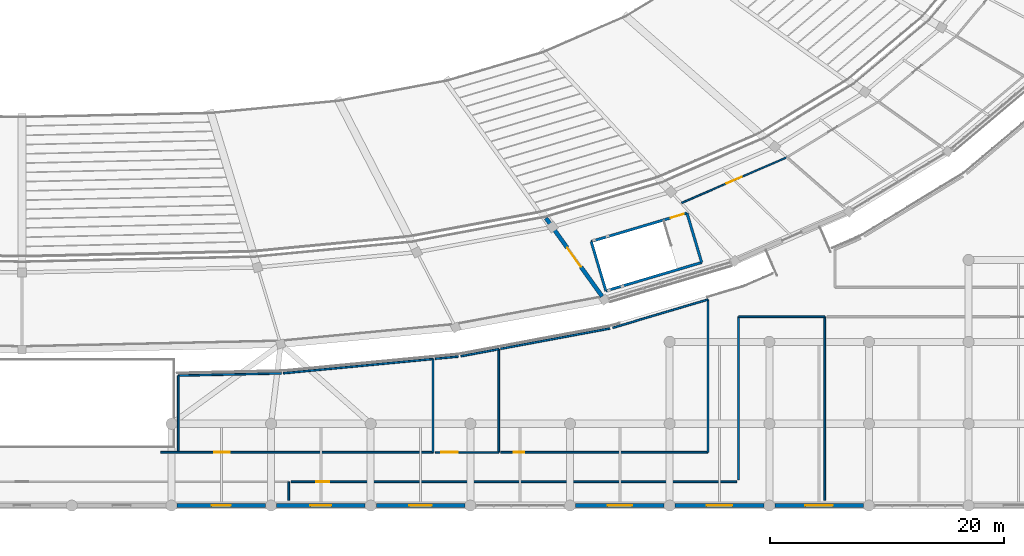
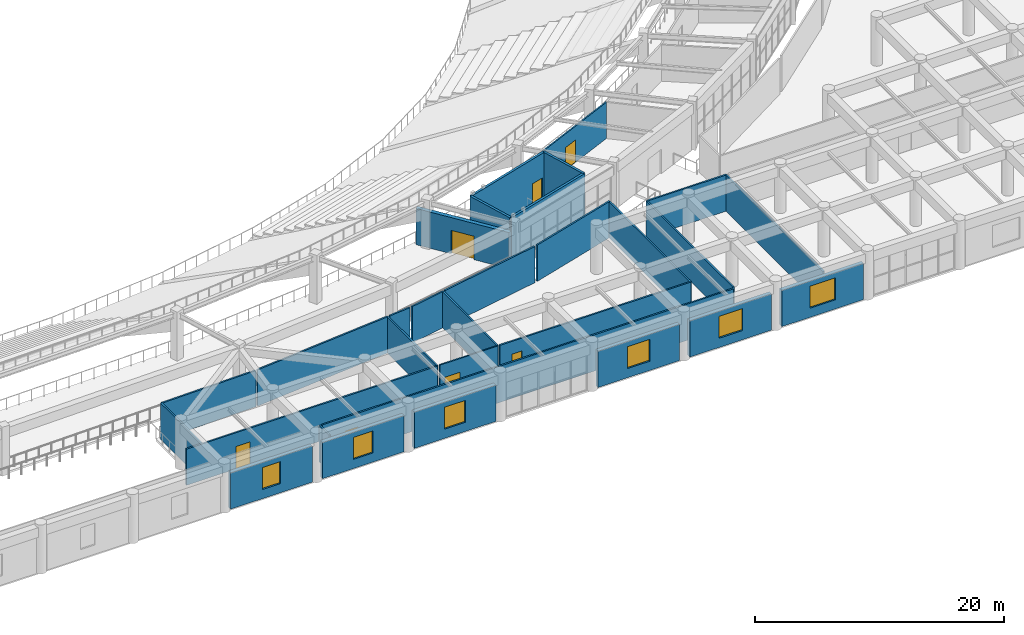
# One storey, part 97 of 137: 30 walls, 7 doors, 6 windows, 13 openings.
"""IFC4 building model written with IfcOpenShell, lengths in metres."""

from ifc_helpers import new_model, si_unit, direction, frame, frame_2d, origin, place, context, subcontext, project, spatial, rectangle, extrude, material, layer, layer_set, type_object, element, fill, save


model = new_model("IFC4")

# Units and contexts
model_context = context("Model", 3, precision=1e-05, world=origin(), true_north=direction((0.0, 1.0)))
body_context = subcontext(model_context, "Body", "Model", "MODEL_VIEW")
ifc_project = project(units=[si_unit("LENGTHUNIT", "METRE"), si_unit("AREAUNIT", "SQUARE_METRE"), si_unit("VOLUMEUNIT", "CUBIC_METRE"), si_unit("PLANEANGLEUNIT", "RADIAN"), si_unit("MASSUNIT", "GRAM", prefix="KILO")], contexts=[model_context])

# Site, building, storey
site_placement = place(None, origin())
site = spatial("IfcSite", under=ifc_project, at=site_placement, CompositionType="ELEMENT")
building_placement = place(site_placement, origin())
building = spatial("IfcBuilding", under=site, at=building_placement, Name="Mphavela Belvedere Stadium", CompositionType="ELEMENT")
storey_placement = place(building_placement, frame((0.0, 0.0, 19.199951171875)))
storey = spatial("IfcBuildingStorey", under=building, at=storey_placement, Name="L04", CompositionType="ELEMENT", Elevation=19.199951171875)

# Walls
ifc_material_1 = material(Name="Concrete C40/50", Category="concrete")
ifc_layer_1 = layer(ifc_material_1, 0.219970703125)
ifc_layer_set_1 = layer_set([ifc_layer_1], Name="Concrete C40/50")
wall_type_1 = type_object("IfcWallType", Name="WAL-CORE-SHEAR-220", PredefinedType="SHEAR", material=ifc_layer_set_1)
wall_1_placement = place(storey_placement, frame((173.10498046875, 20.784912109375, 0.0), z_axis=(0.0, 0.0, 1.0), x_axis=(-0.958675743706, -0.284500998997, 0.0)))
element("IfcWall", 1, at=wall_1_placement, inside=storey, type_object=wall_type_1, Name="Core P04 shear wall L04 rear", PredefinedType="SHEAR", context=body_context, shape_type="SweptSolid", body=[
    extrude(rectangle(XDim=8.540283203125, YDim=0.219970703125, at=frame_2d((4.27001953125, 0.0))), origin(), (0.0, 0.0, 1.0), 4.550048828125),
])
wall_2_placement = place(storey_placement, frame((171.85009765625, 25.0126953125, 0.0), z_axis=(0.0, 0.0, 1.0), x_axis=(0.284548207311, -0.958661732686, 0.0)))
element("IfcWall", 2, at=wall_2_placement, inside=storey, type_object=wall_type_1, Name="Core P04 shear wall L04 left", PredefinedType="SHEAR", context=body_context, shape_type="SweptSolid", body=[
    extrude(rectangle(XDim=4.41015625, YDim=0.219970703125, at=frame_2d((2.205078125, 0.0))), origin(), (0.0, 0.0, 1.0), 4.550048828125),
])
wall_3_placement = place(storey_placement, frame((163.6630859375, 22.5830078125, 0.0), z_axis=(0.0, 0.0, 1.0), x_axis=(0.284497328872, -0.958676832861, 0.0)))
element("IfcWall", 3, at=wall_3_placement, inside=storey, type_object=wall_type_1, Name="Core P04 shear wall L04 right", PredefinedType="SHEAR", context=body_context, shape_type="SweptSolid", body=[
    extrude(rectangle(XDim=4.409912109375, YDim=0.219970703125, at=frame_2d((2.205078125, 0.0))), origin(), (0.0, 0.0, 1.0), 4.550048828125),
])

# Wall, opening, door
wall_4_placement = place(storey_placement, frame((171.85009765625, 25.0126953125, 0.0), z_axis=(0.0, 0.0, 1.0), x_axis=(-0.95867342973, -0.284508796227, 0.0)))
wall_4 = element("IfcWall", 4, at=wall_4_placement, inside=storey, type_object=wall_type_1, Name="Core P04 shear wall L04 front", PredefinedType="SHEAR", context=body_context, shape_type="SweptSolid", body=[
    extrude(rectangle(XDim=8.5400390625, YDim=0.219970703125, at=frame_2d((4.27001953125, 0.0))), origin(), (0.0, 0.0, 1.0), 4.550048828125),
])
opening_1_placement = place(wall_4_placement, frame((0.300048828125, 0.0, 0.0)))
opening_1 = element("IfcOpeningElement", 5, at=opening_1_placement, cuts=wall_4, Name="Opening SD-086", PredefinedType="OPENING", context=body_context, shape_type="SweptSolid", body=[
    extrude(rectangle(XDim=1.14990234375, YDim=2.14990234375, at=frame_2d((0.574951171875, 1.074951171875))), frame((0.0, 0.1201171875, 0.0), z_axis=(0.0, -1.0, 0.0), x_axis=(1.0, 0.0, 0.0)), (0.0, 0.0, 1.0), 0.239990234375),
])
ifc_material_2 = material(Name="Steel acoustic fire-resisting stair doorset", Category="steel")
door_type_1 = type_object("IfcDoorType", Name="DR-STAIR-FIRE-1150", OperationType="NOTDEFINED", PredefinedType="DOOR", material=ifc_material_2)
door_1_placement = place(opening_1_placement, origin())
door_1 = element("IfcDoor", 6, at=door_1_placement, inside=storey, type_object=door_type_1, Name="Escape stair fire door P04 L04", OperationType="SINGLE_SWING_RIGHT", OverallHeight=2.14990234375, OverallWidth=1.14990234375, PredefinedType="DOOR", context=body_context, shape_type="SweptSolid", body=[
    extrude(rectangle(XDim=1.14990234375, YDim=2.14990234375, at=frame_2d((0.574951171875, 1.074951171875))), frame((0.0, 0.02490234375, 0.0), z_axis=(0.0, -1.0, 0.0), x_axis=(1.0, 0.0, 0.0)), (0.0, 0.0, 1.0), 0.050048828125),
])
fill(opening_1, door_1)

ifc_material_3 = material(Name="Honed ashlar limestone masonry", Category="masonry")
ifc_layer_2 = layer(ifc_material_3, 0.35009765625)
ifc_layer_set_2 = layer_set([ifc_layer_2], Name="Honed ashlar limestone masonry")
wall_type_2 = type_object("IfcWallType", Name="WAL-EXT-ASHLAR-350", PredefinedType="STANDARD", material=ifc_layer_set_2)
wall_5_placement = place(storey_placement, frame((159.797119140625, 24.576171875, 0.0), z_axis=(0.0, 0.0, 1.0), x_axis=(0.583037223187, -0.812445442094, 0.0)))
wall_5 = element("IfcWall", 7, at=wall_5_placement, inside=storey, type_object=wall_type_2, Name="South Belvedere terrace end wall 2", PredefinedType="STANDARD", context=body_context, shape_type="SweptSolid", body=[
    extrude(rectangle(XDim=8.23486328125, YDim=0.35009765625, at=frame_2d((4.117431640625, 0.0))), origin(), (0.0, 0.0, 1.0), 3.550048828125),
])
opening_2_placement = place(wall_5_placement, frame((3.117431640625, 0.0, 0.0)))
opening_2 = element("IfcOpeningElement", 8, at=opening_2_placement, cuts=wall_5, Name="Opening TD-402", PredefinedType="OPENING", context=body_context, shape_type="SweptSolid", body=[
    extrude(rectangle(XDim=2.0, YDim=2.300048828125, at=frame_2d((1.0, 1.14990234375))), frame((0.0, 0.18505859375, 0.0), z_axis=(0.0, -1.0, 0.0), x_axis=(1.0, 0.0, 0.0)), (0.0, 0.0, 1.0), 0.3701171875),
])
ifc_material_4 = material(Name="Glazed bronze-anodised steel exit doorset", Category="steel")
door_type_2 = type_object("IfcDoorType", Name="DR-TER-02", OperationType="NOTDEFINED", PredefinedType="DOOR", material=ifc_material_4)
door_2_placement = place(opening_2_placement, origin())
door_2 = element("IfcDoor", 9, at=door_2_placement, inside=storey, type_object=door_type_2, Name="South Belvedere terrace access door TD-402", OperationType="DOUBLE_DOOR_SINGLE_SWING", OverallHeight=2.300048828125, OverallWidth=2.0, PredefinedType="DOOR", context=body_context, shape_type="SweptSolid", body=[
    extrude(rectangle(XDim=2.0, YDim=2.300048828125, at=frame_2d((1.0, 1.14990234375))), frame((0.0, 0.02490234375, 0.0), z_axis=(0.0, -1.0, 0.0), x_axis=(1.0, 0.0, 0.0)), (0.0, 0.0, 1.0), 0.050048828125),
])
fill(opening_2, door_2)

# Wall, opening, window
wall_6_placement = place(storey_placement, frame((135.822998046875, 0.0, 0.0), z_axis=(0.0, 0.0, 1.0), x_axis=(-1.0, 0.0, 0.0)))
wall_6 = element("IfcWall", 10, at=wall_6_placement, inside=storey, type_object=wall_type_2, Name="South Axial Triumphal Peristyle Portico outer facade bay L04-16", PredefinedType="STANDARD", context=body_context, shape_type="SweptSolid", body=[
    extrude(rectangle(XDim=7.572021484375, YDim=0.35009765625, at=frame_2d((3.7861328125, 0.0))), origin(), (0.0, 0.0, 1.0), 3.56005859375),
])
opening_3_placement = place(wall_6_placement, frame((2.9560546875, 0.0, 0.89990234375)))
opening_3 = element("IfcOpeningElement", 11, at=opening_3_placement, cuts=wall_6, Name="Opening W-126", PredefinedType="OPENING", context=body_context, shape_type="SweptSolid", body=[
    extrude(rectangle(XDim=1.659912109375, YDim=2.14990234375, at=frame_2d((0.830078125, 1.074951171875))), frame((0.0, 0.18505859375, 0.0), z_axis=(0.0, -1.0, 0.0), x_axis=(1.0, 0.0, 0.0)), (0.0, 0.0, 1.0), 0.3701171875),
])
ifc_material_5 = material(Name="Bronze-anodised thermally broken aluminium window", Category="aluminium")
window_type_1 = type_object("IfcWindowType", Name="WIN-EXT-38", PartitioningType="SINGLE_PANEL", PredefinedType="WINDOW", material=ifc_material_5)
window_1_placement = place(opening_3_placement, origin())
window_1 = element("IfcWindow", 12, at=window_1_placement, inside=storey, type_object=window_type_1, Name="South Axial Triumphal Peristyle Portico classical window W-126", OverallHeight=2.14990234375, OverallWidth=1.659912109375, PartitioningType="SINGLE_PANEL", PredefinedType="WINDOW", context=body_context, shape_type="SweptSolid", body=[
    extrude(rectangle(XDim=1.659912109375, YDim=2.14990234375, at=frame_2d((0.830078125, 1.074951171875))), frame((0.0, 0.030029296875, 0.0), z_axis=(0.0, -1.0, 0.0), x_axis=(1.0, 0.0, 0.0)), (0.0, 0.0, 1.0), 0.06005859375),
])
fill(opening_3, window_1)

wall_7_placement = place(storey_placement, frame((144.342041015625, 0.0, 0.0), z_axis=(0.0, 0.0, 1.0), x_axis=(-1.0, 0.0, 0.0)))
wall_7 = element("IfcWall", 13, at=wall_7_placement, inside=storey, type_object=wall_type_2, Name="South Axial Triumphal Peristyle Portico outer facade bay L04-17", PredefinedType="STANDARD", context=body_context, shape_type="SweptSolid", body=[
    extrude(rectangle(XDim=7.572998046875, YDim=0.35009765625, at=frame_2d((3.78662109375, 0.0))), origin(), (0.0, 0.0, 1.0), 3.56005859375),
])
opening_4_placement = place(wall_7_placement, frame((2.886474609375, 0.0, 0.89990234375)))
opening_4 = element("IfcOpeningElement", 14, at=opening_4_placement, cuts=wall_7, Name="Opening W-127", PredefinedType="OPENING", context=body_context, shape_type="SweptSolid", body=[
    extrude(rectangle(XDim=1.800048828125, YDim=2.14990234375, at=frame_2d((0.89990234375, 1.074951171875))), frame((0.0, 0.18505859375, 0.0), z_axis=(0.0, -1.0, 0.0), x_axis=(1.0, 0.0, 0.0)), (0.0, 0.0, 1.0), 0.3701171875),
])
ifc_material_6 = material(Name="Bronze-anodised thermally broken aluminium window", Category="aluminium")
window_type_2 = type_object("IfcWindowType", Name="WIN-EXT-39", PartitioningType="SINGLE_PANEL", PredefinedType="WINDOW", material=ifc_material_6)
window_2_placement = place(opening_4_placement, origin())
window_2 = element("IfcWindow", 15, at=window_2_placement, inside=storey, type_object=window_type_2, Name="South Axial Triumphal Peristyle Portico classical window W-127", OverallHeight=2.14990234375, OverallWidth=1.800048828125, PartitioningType="SINGLE_PANEL", PredefinedType="WINDOW", context=body_context, shape_type="SweptSolid", body=[
    extrude(rectangle(XDim=1.800048828125, YDim=2.14990234375, at=frame_2d((0.89990234375, 1.074951171875))), frame((0.0, 0.030029296875, 0.0), z_axis=(0.0, -1.0, 0.0), x_axis=(1.0, 0.0, 0.0)), (0.0, 0.0, 1.0), 0.06005859375),
])
fill(opening_4, window_2)

wall_8_placement = place(storey_placement, frame((152.860107421875, 0.0, 0.0), z_axis=(0.0, 0.0, 1.0), x_axis=(-1.0, 0.0, 0.0)))
wall_8 = element("IfcWall", 16, at=wall_8_placement, inside=storey, type_object=wall_type_2, Name="South Axial Triumphal Peristyle Portico outer facade bay L04-18", PredefinedType="STANDARD", context=body_context, shape_type="SweptSolid", body=[
    extrude(rectangle(XDim=7.572021484375, YDim=0.35009765625, at=frame_2d((3.7861328125, 0.0))), origin(), (0.0, 0.0, 1.0), 3.56005859375),
])
opening_5_placement = place(wall_8_placement, frame((2.81591796875, 0.0, 0.89990234375)))
opening_5 = element("IfcOpeningElement", 17, at=opening_5_placement, cuts=wall_8, Name="Opening W-128", PredefinedType="OPENING", context=body_context, shape_type="SweptSolid", body=[
    extrude(rectangle(XDim=1.93994140625, YDim=2.14990234375, at=frame_2d((0.969970703125, 1.074951171875))), frame((0.0, 0.18505859375, 0.0), z_axis=(0.0, -1.0, 0.0), x_axis=(1.0, 0.0, 0.0)), (0.0, 0.0, 1.0), 0.3701171875),
])
ifc_material_7 = material(Name="Bronze-anodised thermally broken aluminium window", Category="aluminium")
window_type_3 = type_object("IfcWindowType", Name="WIN-EXT-40", PartitioningType="SINGLE_PANEL", PredefinedType="WINDOW", material=ifc_material_7)
window_3_placement = place(opening_5_placement, origin())
window_3 = element("IfcWindow", 18, at=window_3_placement, inside=storey, type_object=window_type_3, Name="South Axial Triumphal Peristyle Portico classical window W-128", OverallHeight=2.14990234375, OverallWidth=1.93994140625, PartitioningType="SINGLE_PANEL", PredefinedType="WINDOW", context=body_context, shape_type="SweptSolid", body=[
    extrude(rectangle(XDim=1.93994140625, YDim=2.14990234375, at=frame_2d((0.969970703125, 1.074951171875))), frame((0.0, 0.030029296875, 0.0), z_axis=(0.0, -1.0, 0.0), x_axis=(1.0, 0.0, 0.0)), (0.0, 0.0, 1.0), 0.06005859375),
])
fill(opening_5, window_3)

wall_9_placement = place(storey_placement, frame((169.89697265625, 0.0, 0.0), z_axis=(0.0, 0.0, 1.0), x_axis=(-1.0, 0.0, 0.0)))
wall_9 = element("IfcWall", 19, at=wall_9_placement, inside=storey, type_object=wall_type_2, Name="South Axial Triumphal Peristyle Portico outer facade bay L04-20", PredefinedType="STANDARD", context=body_context, shape_type="SweptSolid", body=[
    extrude(rectangle(XDim=7.572021484375, YDim=0.35009765625, at=frame_2d((3.7861328125, 0.0))), origin(), (0.0, 0.0, 1.0), 3.56005859375),
])
opening_6_placement = place(wall_9_placement, frame((2.74609375, 0.0, 0.89990234375)))
opening_6 = element("IfcOpeningElement", 20, at=opening_6_placement, cuts=wall_9, Name="Opening W-129", PredefinedType="OPENING", context=body_context, shape_type="SweptSolid", body=[
    extrude(rectangle(XDim=2.080078125, YDim=2.14990234375, at=frame_2d((1.0400390625, 1.074951171875))), frame((0.0, 0.18505859375, 0.0), z_axis=(0.0, -1.0, 0.0), x_axis=(1.0, 0.0, 0.0)), (0.0, 0.0, 1.0), 0.3701171875),
])
ifc_material_8 = material(Name="Bronze-anodised thermally broken aluminium window", Category="aluminium")
window_type_4 = type_object("IfcWindowType", Name="WIN-EXT-41", PartitioningType="SINGLE_PANEL", PredefinedType="WINDOW", material=ifc_material_8)
window_4_placement = place(opening_6_placement, origin())
window_4 = element("IfcWindow", 21, at=window_4_placement, inside=storey, type_object=window_type_4, Name="South Axial Triumphal Peristyle Portico classical window W-129", OverallHeight=2.14990234375, OverallWidth=2.080078125, PartitioningType="SINGLE_PANEL", PredefinedType="WINDOW", context=body_context, shape_type="SweptSolid", body=[
    extrude(rectangle(XDim=2.080078125, YDim=2.14990234375, at=frame_2d((1.0400390625, 1.074951171875))), frame((0.0, 0.030029296875, 0.0), z_axis=(0.0, -1.0, 0.0), x_axis=(1.0, 0.0, 0.0)), (0.0, 0.0, 1.0), 0.06005859375),
])
fill(opening_6, window_4)

wall_10_placement = place(storey_placement, frame((178.416015625, 0.0, 0.0), z_axis=(0.0, 0.0, 1.0), x_axis=(-1.0, 0.0, 0.0)))
wall_10 = element("IfcWall", 22, at=wall_10_placement, inside=storey, type_object=wall_type_2, Name="South Axial Triumphal Peristyle Portico outer facade bay L04-21", PredefinedType="STANDARD", context=body_context, shape_type="SweptSolid", body=[
    extrude(rectangle(XDim=7.572998046875, YDim=0.35009765625, at=frame_2d((3.78662109375, 0.0))), origin(), (0.0, 0.0, 1.0), 3.56005859375),
])
opening_7_placement = place(wall_10_placement, frame((2.676513671875, 0.0, 0.89990234375)))
opening_7 = element("IfcOpeningElement", 23, at=opening_7_placement, cuts=wall_10, Name="Opening W-130", PredefinedType="OPENING", context=body_context, shape_type="SweptSolid", body=[
    extrude(rectangle(XDim=2.219970703125, YDim=2.14990234375, at=frame_2d((1.10986328125, 1.074951171875))), frame((0.0, 0.18505859375, 0.0), z_axis=(0.0, -1.0, 0.0), x_axis=(1.0, 0.0, 0.0)), (0.0, 0.0, 1.0), 0.3701171875),
])
ifc_material_9 = material(Name="Bronze-anodised thermally broken aluminium window", Category="aluminium")
window_type_5 = type_object("IfcWindowType", Name="WIN-EXT-42", PartitioningType="SINGLE_PANEL", PredefinedType="WINDOW", material=ifc_material_9)
window_5_placement = place(opening_7_placement, origin())
window_5 = element("IfcWindow", 24, at=window_5_placement, inside=storey, type_object=window_type_5, Name="South Axial Triumphal Peristyle Portico classical window W-130", OverallHeight=2.14990234375, OverallWidth=2.219970703125, PartitioningType="SINGLE_PANEL", PredefinedType="WINDOW", context=body_context, shape_type="SweptSolid", body=[
    extrude(rectangle(XDim=2.219970703125, YDim=2.14990234375, at=frame_2d((1.10986328125, 1.074951171875))), frame((0.0, 0.030029296875, 0.0), z_axis=(0.0, -1.0, 0.0), x_axis=(1.0, 0.0, 0.0)), (0.0, 0.0, 1.0), 0.06005859375),
])
fill(opening_7, window_5)

wall_11_placement = place(storey_placement, frame((186.93408203125, 0.0, 0.0), z_axis=(0.0, 0.0, 1.0), x_axis=(-1.0, 0.0, 0.0)))
wall_11 = element("IfcWall", 25, at=wall_11_placement, inside=storey, type_object=wall_type_2, Name="South Axial Triumphal Peristyle Portico outer facade bay L04-22", PredefinedType="STANDARD", context=body_context, shape_type="SweptSolid", body=[
    extrude(rectangle(XDim=7.572021484375, YDim=0.35009765625, at=frame_2d((3.7861328125, 0.0))), origin(), (0.0, 0.0, 1.0), 3.56005859375),
])
opening_8_placement = place(wall_11_placement, frame((2.60595703125, 0.0, 0.89990234375)))
opening_8 = element("IfcOpeningElement", 26, at=opening_8_placement, cuts=wall_11, Name="Opening W-131", PredefinedType="OPENING", context=body_context, shape_type="SweptSolid", body=[
    extrude(rectangle(XDim=2.360107421875, YDim=2.14990234375, at=frame_2d((1.18017578125, 1.074951171875))), frame((0.0, 0.18505859375, 0.0), z_axis=(0.0, -1.0, 0.0), x_axis=(1.0, 0.0, 0.0)), (0.0, 0.0, 1.0), 0.3701171875),
])
ifc_material_10 = material(Name="Bronze-anodised thermally broken aluminium window", Category="aluminium")
window_type_6 = type_object("IfcWindowType", Name="WIN-EXT-43", PartitioningType="SINGLE_PANEL", PredefinedType="WINDOW", material=ifc_material_10)
window_6_placement = place(opening_8_placement, origin())
window_6 = element("IfcWindow", 27, at=window_6_placement, inside=storey, type_object=window_type_6, Name="South Axial Triumphal Peristyle Portico classical window W-131", OverallHeight=2.14990234375, OverallWidth=2.360107421875, PartitioningType="SINGLE_PANEL", PredefinedType="WINDOW", context=body_context, shape_type="SweptSolid", body=[
    extrude(rectangle(XDim=2.360107421875, YDim=2.14990234375, at=frame_2d((1.18017578125, 1.074951171875))), frame((0.0, 0.030029296875, 0.0), z_axis=(0.0, -1.0, 0.0), x_axis=(1.0, 0.0, 0.0)), (0.0, 0.0, 1.0), 0.06005859375),
])
fill(opening_8, window_6)

# Wall, opening, door
ifc_material_11 = material(Name="Moisture-resistant sanitary partition assembly")
ifc_layer_3 = layer(ifc_material_11, 0.125)
ifc_layer_set_3 = layer_set([ifc_layer_3], Name="Moisture-resistant sanitary partition assembly")
wall_type_3 = type_object("IfcWallType", Name="WAL-PART-125", PredefinedType="PARTITIONING", material=ifc_layer_set_3)
wall_12_placement = place(storey_placement, frame((171.406005859375, 25.882568359375, 0.0), z_axis=(0.0, 0.0, 1.0), x_axis=(0.917512083526, 0.397707903596, 0.0)))
wall_12 = element("IfcWall", 28, at=wall_12_placement, inside=storey, type_object=wall_type_3, Name="Room L04-88 corridor partition", PredefinedType="PARTITIONING", context=body_context, shape_type="SweptSolid", body=[
    extrude(rectangle(XDim=9.751953125, YDim=0.125, at=frame_2d((4.8759765625, 0.0))), origin(), (0.0, 0.0, 1.0), 3.550048828125),
])
opening_9_placement = place(wall_12_placement, frame((4.17578125, 0.0, 0.0)))
opening_9 = element("IfcOpeningElement", 29, at=opening_9_placement, cuts=wall_12, Name="Opening ID-348", PredefinedType="OPENING", context=body_context, shape_type="SweptSolid", body=[
    extrude(rectangle(XDim=1.39990234375, YDim=2.199951171875, at=frame_2d((0.699951171875, 1.10009765625))), frame((0.0, 0.072509765625, 0.0), z_axis=(0.0, -1.0, 0.0), x_axis=(1.0, 0.0, 0.0)), (0.0, 0.0, 1.0), 0.14501953125),
])
ifc_material_12 = material(Name="Hardwood acoustic timber doorset", Category="wood")
door_type_3 = type_object("IfcDoorType", Name="DR-INT-24", OperationType="NOTDEFINED", PredefinedType="DOOR", material=ifc_material_12)
door_3_placement = place(opening_9_placement, origin())
door_3 = element("IfcDoor", 30, at=door_3_placement, inside=storey, type_object=door_type_3, Name="Room L04-88 entrance door ID-348", OperationType="SINGLE_SWING_RIGHT", OverallHeight=2.199951171875, OverallWidth=1.39990234375, PredefinedType="DOOR", context=body_context, shape_type="SweptSolid", body=[
    extrude(rectangle(XDim=1.39990234375, YDim=2.199951171875, at=frame_2d((0.699951171875, 1.10009765625))), frame((0.0, 0.02490234375, 0.0), z_axis=(0.0, -1.0, 0.0), x_axis=(1.0, 0.0, 0.0)), (0.0, 0.0, 1.0), 0.050048828125),
])
fill(opening_9, door_3)

wall_13_placement = place(storey_placement, frame((155.763916015625, 4.56005859375, 0.0), z_axis=(0.0, 0.0, 1.0), x_axis=(-1.0, 0.0, 0.0)))
wall_13 = element("IfcWall", 31, at=wall_13_placement, inside=storey, type_object=wall_type_3, Name="Room L04-111 corridor partition", PredefinedType="PARTITIONING", context=body_context, shape_type="SweptSolid", body=[
    extrude(rectangle(XDim=5.419921875, YDim=0.125, at=frame_2d((2.7099609375, 0.0))), origin(), (0.0, 0.0, 1.0), 3.550048828125),
])
opening_10_placement = place(wall_13_placement, frame((3.531005859375, 0.0, 0.0)))
opening_10 = element("IfcOpeningElement", 32, at=opening_10_placement, cuts=wall_13, Name="Opening ID-420", PredefinedType="OPENING", context=body_context, shape_type="SweptSolid", body=[
    extrude(rectangle(XDim=1.39990234375, YDim=2.199951171875, at=frame_2d((0.699951171875, 1.10009765625))), frame((0.0, 0.072509765625, 0.0), z_axis=(0.0, -1.0, 0.0), x_axis=(1.0, 0.0, 0.0)), (0.0, 0.0, 1.0), 0.14501953125),
])
door_4_placement = place(opening_10_placement, origin())
door_4 = element("IfcDoor", 33, at=door_4_placement, inside=storey, type_object=door_type_3, Name="Room L04-111 entrance door ID-420", OperationType="SINGLE_SWING_RIGHT", OverallHeight=2.199951171875, OverallWidth=1.39990234375, PredefinedType="DOOR", context=body_context, shape_type="SweptSolid", body=[
    extrude(rectangle(XDim=1.39990234375, YDim=2.199951171875, at=frame_2d((0.699951171875, 1.10009765625))), frame((0.0, 0.02490234375, 0.0), z_axis=(0.0, -1.0, 0.0), x_axis=(1.0, 0.0, 0.0)), (0.0, 0.0, 1.0), 0.050048828125),
])
fill(opening_10, door_4)

ifc_material_13 = material(Name="Acoustic gypsum stud partition assembly")
ifc_layer_4 = layer(ifc_material_13, 0.14990234375)
ifc_layer_set_4 = layer_set([ifc_layer_4], Name="Acoustic gypsum stud partition assembly")
wall_type_4 = type_object("IfcWallType", Name="WAL-PART-150", PredefinedType="PARTITIONING", material=ifc_layer_set_4)
wall_14_placement = place(storey_placement, frame((138.010009765625, 2.0400390625, 0.0), z_axis=(0.0, 0.0, 1.0), x_axis=(1.0, 0.0, 0.0)))
wall_14 = element("IfcWall", 34, at=wall_14_placement, inside=storey, type_object=wall_type_4, Name="Room L04-106 corridor partition", PredefinedType="PARTITIONING", context=body_context, shape_type="SweptSolid", body=[
    extrude(rectangle(XDim=38.090087890625, YDim=0.14990234375, at=frame_2d((19.044921875, 0.0))), origin(), (0.0, 0.0, 1.0), 3.550048828125),
])
opening_11_placement = place(wall_14_placement, frame((2.135498046875, 0.0, 0.0)))
opening_11 = element("IfcOpeningElement", 35, at=opening_11_placement, cuts=wall_14, Name="Opening ID-415", PredefinedType="OPENING", context=body_context, shape_type="SweptSolid", body=[
    extrude(rectangle(XDim=1.139892578125, YDim=2.199951171875, at=frame_2d((0.56982421875, 1.10009765625))), frame((0.0, 0.0849609375, 0.0), z_axis=(0.0, -1.0, 0.0), x_axis=(1.0, 0.0, 0.0)), (0.0, 0.0, 1.0), 0.169921875),
])
ifc_material_14 = material(Name="Hardwood acoustic timber doorset", Category="wood")
door_type_4 = type_object("IfcDoorType", Name="DR-INT-19", OperationType="NOTDEFINED", PredefinedType="DOOR", material=ifc_material_14)
door_5_placement = place(opening_11_placement, origin())
door_5 = element("IfcDoor", 36, at=door_5_placement, inside=storey, type_object=door_type_4, Name="Room L04-106 entrance door ID-415", OperationType="SINGLE_SWING_LEFT", OverallHeight=2.199951171875, OverallWidth=1.139892578125, PredefinedType="DOOR", context=body_context, shape_type="SweptSolid", body=[
    extrude(rectangle(XDim=1.139892578125, YDim=2.199951171875, at=frame_2d((0.56982421875, 1.10009765625))), frame((0.0, 0.02490234375, 0.0), z_axis=(0.0, -1.0, 0.0), x_axis=(1.0, 0.0, 0.0)), (0.0, 0.0, 1.0), 0.050048828125),
])
fill(opening_11, door_5)

wall_15_placement = place(storey_placement, frame((150.14404296875, 4.56005859375, 0.0), z_axis=(0.0, 0.0, 1.0), x_axis=(-1.0, 0.0, 0.0)))
wall_15 = element("IfcWall", 37, at=wall_15_placement, inside=storey, type_object=wall_type_4, Name="Room L04-110 corridor partition", PredefinedType="PARTITIONING", context=body_context, shape_type="SweptSolid", body=[
    extrude(rectangle(XDim=23.296142578125, YDim=0.14990234375, at=frame_2d((11.64794921875, 0.0))), origin(), (0.0, 0.0, 1.0), 3.550048828125),
])
opening_12_placement = place(wall_15_placement, frame((17.388916015625, 0.0, 0.0)))
opening_12 = element("IfcOpeningElement", 38, at=opening_12_placement, cuts=wall_15, Name="Opening ID-419", PredefinedType="OPENING", context=body_context, shape_type="SweptSolid", body=[
    extrude(rectangle(XDim=1.320068359375, YDim=2.199951171875, at=frame_2d((0.66015625, 1.10009765625))), frame((0.0, 0.0849609375, 0.0), z_axis=(0.0, -1.0, 0.0), x_axis=(1.0, 0.0, 0.0)), (0.0, 0.0, 1.0), 0.169921875),
])
ifc_material_15 = material(Name="Hardwood acoustic timber doorset", Category="wood")
door_type_5 = type_object("IfcDoorType", Name="DR-INT-23", OperationType="NOTDEFINED", PredefinedType="DOOR", material=ifc_material_15)
door_6_placement = place(opening_12_placement, origin())
door_6 = element("IfcDoor", 39, at=door_6_placement, inside=storey, type_object=door_type_5, Name="Room L04-110 entrance door ID-419", OperationType="SINGLE_SWING_LEFT", OverallHeight=2.199951171875, OverallWidth=1.320068359375, PredefinedType="DOOR", context=body_context, shape_type="SweptSolid", body=[
    extrude(rectangle(XDim=1.320068359375, YDim=2.199951171875, at=frame_2d((0.66015625, 1.10009765625))), frame((0.0, 0.02490234375, 0.0), z_axis=(0.0, -1.0, 0.0), x_axis=(1.0, 0.0, 0.0)), (0.0, 0.0, 1.0), 0.050048828125),
])
fill(opening_12, door_6)

wall_16_placement = place(storey_placement, frame((173.639892578125, 4.56005859375, 0.0), z_axis=(0.0, 0.0, 1.0), x_axis=(-1.0, 0.0, 0.0)))
wall_16 = element("IfcWall", 40, at=wall_16_placement, inside=storey, type_object=wall_type_4, Name="Room L04-112 corridor partition", PredefinedType="PARTITIONING", context=body_context, shape_type="SweptSolid", body=[
    extrude(rectangle(XDim=17.7158203125, YDim=0.14990234375, at=frame_2d((8.85791015625, 0.0))), origin(), (0.0, 0.0, 1.0), 3.550048828125),
])
opening_13_placement = place(wall_16_placement, frame((15.687255859375, 0.0, 0.0)))
opening_13 = element("IfcOpeningElement", 41, at=opening_13_placement, cuts=wall_16, Name="Opening ID-421", PredefinedType="OPENING", context=body_context, shape_type="SweptSolid", body=[
    extrude(rectangle(XDim=0.89990234375, YDim=2.300048828125, at=frame_2d((0.449951171875, 1.14990234375))), frame((0.0, 0.0849609375, 0.0), z_axis=(0.0, -1.0, 0.0), x_axis=(1.0, 0.0, 0.0)), (0.0, 0.0, 1.0), 0.169921875),
])
ifc_material_16 = material(Name="Hardwood acoustic timber doorset", Category="wood")
door_type_6 = type_object("IfcDoorType", Name="DR-INT-25", OperationType="NOTDEFINED", PredefinedType="DOOR", material=ifc_material_16)
door_7_placement = place(opening_13_placement, origin())
door_7 = element("IfcDoor", 42, at=door_7_placement, inside=storey, type_object=door_type_6, Name="Room L04-112 entrance door ID-421", OperationType="SINGLE_SWING_LEFT", OverallHeight=2.300048828125, OverallWidth=0.89990234375, PredefinedType="DOOR", context=body_context, shape_type="SweptSolid", body=[
    extrude(rectangle(XDim=0.89990234375, YDim=2.300048828125, at=frame_2d((0.449951171875, 1.14990234375))), frame((0.0, 0.02490234375, 0.0), z_axis=(0.0, -1.0, 0.0), x_axis=(1.0, 0.0, 0.0)), (0.0, 0.0, 1.0), 0.050048828125),
])
fill(opening_13, door_7)

# Walls
wall_17_placement = place(storey_placement, frame((137.81005859375, 2.0400390625, 0.0), z_axis=(0.0, 0.0, 1.0), x_axis=(0.0, -1.0, 0.0)))
element("IfcWall", 43, at=wall_17_placement, inside=storey, type_object=wall_type_4, Name="Room divider partition L04-0852", PredefinedType="PARTITIONING", context=body_context, shape_type="SweptSolid", body=[
    extrude(rectangle(XDim=1.590087890625, YDim=0.14990234375, at=frame_2d((0.794921875, 0.0))), origin(), (0.0, 0.0, 1.0), 3.550048828125),
])
wall_18_placement = place(storey_placement, frame((176.260009765625, 2.199951171875, 0.0), z_axis=(0.0, 0.0, 1.0), x_axis=(0.0, 1.0, 0.0)))
element("IfcWall", 44, at=wall_18_placement, inside=storey, type_object=wall_type_4, Name="Room divider partition L04-0853", PredefinedType="PARTITIONING", context=body_context, shape_type="SweptSolid", body=[
    extrude(rectangle(XDim=13.93994140625, YDim=0.14990234375, at=frame_2d((6.969970703125, 0.0))), origin(), (0.0, 0.0, 1.0), 3.550048828125),
])
wall_19_placement = place(storey_placement, frame((176.260009765625, 16.139892578125, 0.0), z_axis=(0.0, 0.0, 1.0), x_axis=(1.0, 0.0, 0.0)))
element("IfcWall", 45, at=wall_19_placement, inside=storey, type_object=wall_type_4, Name="Room divider partition L04-0854", PredefinedType="PARTITIONING", context=body_context, shape_type="SweptSolid", body=[
    extrude(rectangle(XDim=7.369873046875, YDim=0.14990234375, at=frame_2d((3.68505859375, 0.0))), origin(), (0.0, 0.0, 1.0), 3.550048828125),
])
wall_20_placement = place(storey_placement, frame((183.6298828125, 16.139892578125, 0.0), z_axis=(0.0, 0.0, 1.0), x_axis=(0.0, -1.0, 0.0)))
element("IfcWall", 46, at=wall_20_placement, inside=storey, type_object=wall_type_4, Name="Room divider partition L04-0855", PredefinedType="PARTITIONING", context=body_context, shape_type="SweptSolid", body=[
    extrude(rectangle(XDim=15.68994140625, YDim=0.14990234375, at=frame_2d((7.844970703125, 0.0))), origin(), (0.0, 0.0, 1.0), 3.550048828125),
])
wall_21_placement = place(storey_placement, frame((128.35009765625, 4.64990234375, 0.0), z_axis=(0.0, 0.0, 1.0), x_axis=(0.0, 1.0, 0.0)))
element("IfcWall", 47, at=wall_21_placement, inside=storey, type_object=wall_type_4, Name="Room divider partition L04-0874", PredefinedType="PARTITIONING", context=body_context, shape_type="SweptSolid", body=[
    extrude(rectangle(XDim=6.467041015625, YDim=0.14990234375, at=frame_2d((3.2333984375, 0.0))), origin(), (0.0, 0.0, 1.0), 3.550048828125),
])
wall_22_placement = place(storey_placement, frame((128.35009765625, 11.116943359375, 0.0), z_axis=(0.0, 0.0, 1.0), x_axis=(0.999768109674, 0.021534318641, 0.0)))
element("IfcWall", 48, at=wall_22_placement, inside=storey, type_object=wall_type_4, Name="Room divider partition L04-0875", PredefinedType="PARTITIONING", context=body_context, shape_type="SweptSolid", body=[
    extrude(rectangle(XDim=8.8203125, YDim=0.14990234375, at=frame_2d((4.41015625, 0.0))), origin(), (0.0, 0.0, 1.0), 3.550048828125),
])
wall_23_placement = place(storey_placement, frame((137.351806640625, 11.3173828125, 0.0), z_axis=(0.0, 0.0, 1.0), x_axis=(0.995483253835, 0.094937302124, 0.0)))
element("IfcWall", 49, at=wall_23_placement, inside=storey, type_object=wall_type_4, Name="Room divider partition L04-0876", PredefinedType="PARTITIONING", context=body_context, shape_type="SweptSolid", body=[
    extrude(rectangle(XDim=12.850341796875, YDim=0.14990234375, at=frame_2d((6.42529296875, 0.0))), origin(), (0.0, 0.0, 1.0), 3.550048828125),
])
wall_24_placement = place(storey_placement, frame((150.14404296875, 12.537353515625, 0.0), z_axis=(0.0, 0.0, 1.0), x_axis=(0.0, -1.0, 0.0)))
element("IfcWall", 50, at=wall_24_placement, inside=storey, type_object=wall_type_4, Name="Room divider partition L04-0877", PredefinedType="PARTITIONING", context=body_context, shape_type="SweptSolid", body=[
    extrude(rectangle(XDim=7.977294921875, YDim=0.14990234375, at=frame_2d((3.98876953125, 0.0))), origin(), (0.0, 0.0, 1.0), 3.550048828125),
])
wall_25_placement = place(storey_placement, frame((152.530517578125, 12.77490234375, 0.0), z_axis=(0.0, 0.0, 1.0), x_axis=(0.983089981796, 0.18312314898, 0.0)))
element("IfcWall", 51, at=wall_25_placement, inside=storey, type_object=wall_type_4, Name="Room divider partition L04-0878", PredefinedType="PARTITIONING", context=body_context, shape_type="SweptSolid", body=[
    extrude(rectangle(XDim=3.2890625, YDim=0.14990234375, at=frame_2d((1.64453125, 0.0))), origin(), (0.0, 0.0, 1.0), 3.550048828125),
])
wall_26_placement = place(storey_placement, frame((155.763916015625, 13.377197265625, 0.0), z_axis=(0.0, 0.0, 1.0), x_axis=(0.0, -1.0, 0.0)))
element("IfcWall", 52, at=wall_26_placement, inside=storey, type_object=wall_type_4, Name="Room divider partition L04-0879", PredefinedType="PARTITIONING", context=body_context, shape_type="SweptSolid", body=[
    extrude(rectangle(XDim=8.817138671875, YDim=0.14990234375, at=frame_2d((4.40869140625, 0.0))), origin(), (0.0, 0.0, 1.0), 3.550048828125),
])
wall_27_placement = place(storey_placement, frame((150.343994140625, 12.556396484375, 0.0), z_axis=(0.0, 0.0, 1.0), x_axis=(0.995483241572, 0.094937430712, 0.0)))
element("IfcWall", 53, at=wall_27_placement, inside=storey, type_object=wall_type_4, Name="Room divider partition L04-0880", PredefinedType="PARTITIONING", context=body_context, shape_type="SweptSolid", body=[
    extrude(rectangle(XDim=1.97509765625, YDim=0.14990234375, at=frame_2d((0.987548828125, 0.0))), origin(), (0.0, 0.0, 1.0), 3.550048828125),
])
wall_28_placement = place(storey_placement, frame((165.5126953125, 15.20654296875, 0.0), z_axis=(0.0, 0.0, 1.0), x_axis=(0.95866000112, 0.284554041006, 0.0)))
element("IfcWall", 54, at=wall_28_placement, inside=storey, type_object=wall_type_4, Name="Room divider partition L04-0881", PredefinedType="PARTITIONING", context=body_context, shape_type="SweptSolid", body=[
    extrude(rectangle(XDim=8.477783203125, YDim=0.14990234375, at=frame_2d((4.23876953125, 0.0))), origin(), (0.0, 0.0, 1.0), 3.550048828125),
])
wall_29_placement = place(storey_placement, frame((173.639892578125, 17.618896484375, 0.0), z_axis=(0.0, 0.0, 1.0), x_axis=(0.0, -1.0, 0.0)))
element("IfcWall", 55, at=wall_29_placement, inside=storey, type_object=wall_type_4, Name="Room divider partition L04-0882", PredefinedType="PARTITIONING", context=body_context, shape_type="SweptSolid", body=[
    extrude(rectangle(XDim=13.058837890625, YDim=0.14990234375, at=frame_2d((6.529296875, 0.0))), origin(), (0.0, 0.0, 1.0), 3.550048828125),
])
wall_30_placement = place(storey_placement, frame((155.924072265625, 13.406982421875, 0.0), z_axis=(0.0, 0.0, 1.0), x_axis=(0.983095301178, 0.183094589766, 0.0)))
element("IfcWall", 56, at=wall_30_placement, inside=storey, type_object=wall_type_4, Name="Room divider partition L04-0883", PredefinedType="PARTITIONING", context=body_context, shape_type="SweptSolid", body=[
    extrude(rectangle(XDim=9.4951171875, YDim=0.14990234375, at=frame_2d((4.74755859375, 0.0))), origin(), (0.0, 0.0, 1.0), 3.550048828125),
])

save(model, "model.ifc")
